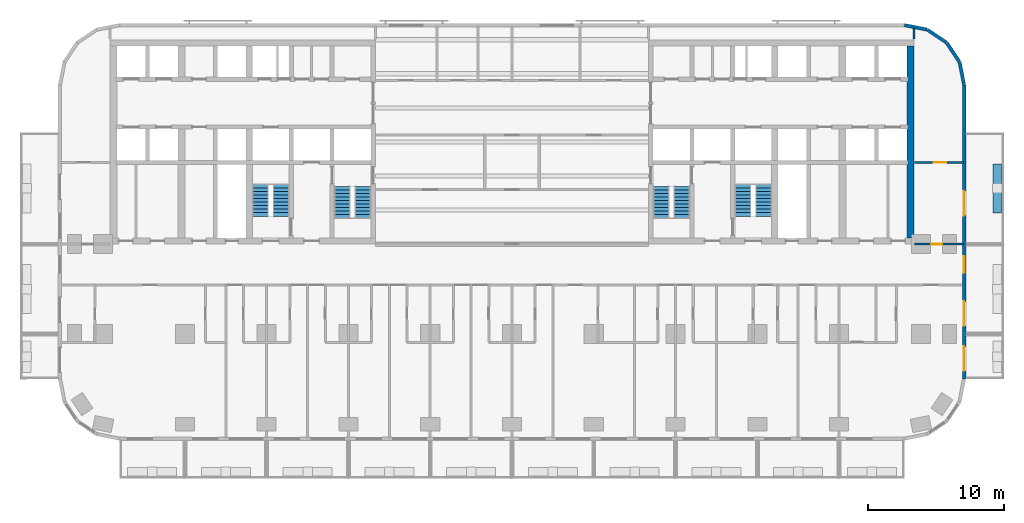
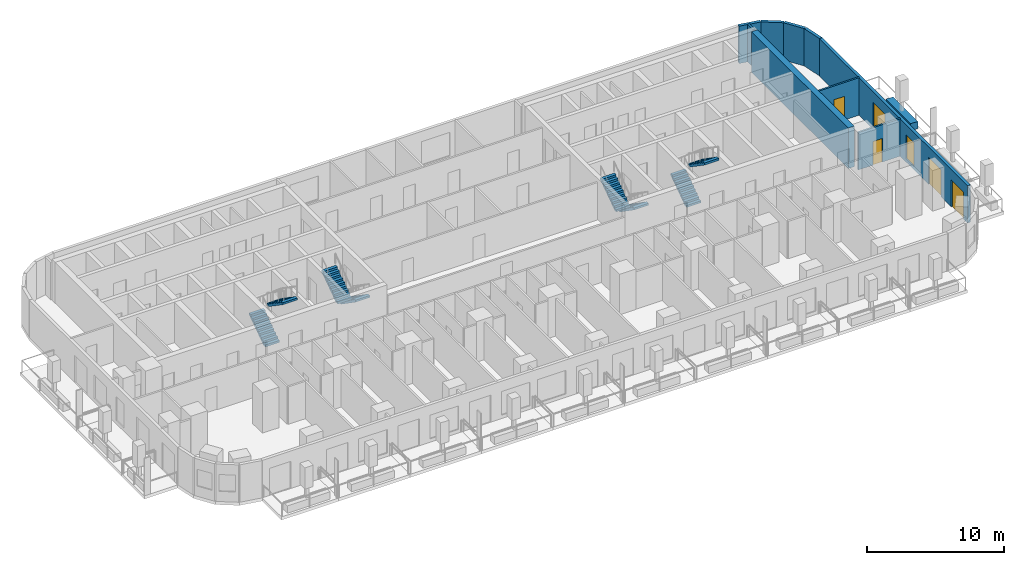
# One storey, part 9 of 14: 10 walls, 8 stair flights, 5 doors, 1 window, 6 openings, 4 elements without a shape of their own.
"""IFC4 building model written with IfcOpenShell, lengths in metres."""

from ifc_helpers import new_model, si_unit, direction, frame, frame_2d, origin, place, context, subcontext, project, spatial, polyline, rectangle, outline, extrude, material, layer, layer_set, type_object, element, fill, aggregate, save


model = new_model("IFC4")

# Units and contexts
model_context = context("Model", 3, precision=1e-05, world=origin(), true_north=direction((0.0, 1.0)))
body_context = subcontext(model_context, "Body", "Model", "MODEL_VIEW")
ifc_project = project(units=[si_unit("LENGTHUNIT", "METRE"), si_unit("AREAUNIT", "SQUARE_METRE"), si_unit("VOLUMEUNIT", "CUBIC_METRE"), si_unit("PLANEANGLEUNIT", "RADIAN"), si_unit("MASSUNIT", "GRAM", prefix="KILO")], contexts=[model_context])

# Site, building, storey
site_placement = place(None, origin())
site = spatial("IfcSite", under=ifc_project, at=site_placement, CompositionType="ELEMENT")
building_placement = place(site_placement, origin())
building = spatial("IfcBuilding", under=site, at=building_placement, Name="Torana Hotel and Residences", CompositionType="ELEMENT")
storey_placement = place(building_placement, frame((0.0, 0.0, 34.800048828125)))
storey = spatial("IfcBuildingStorey", under=building, at=storey_placement, Name="L07", CompositionType="ELEMENT", Elevation=34.800048828125)

# Walls
ifc_material_1 = material(Name="Concrete C80/95", Category="concrete")
ifc_layer_1 = layer(ifc_material_1, 0.5)
ifc_layer_set_1 = layer_set([ifc_layer_1], Name="CORE WALL 500 C80/95")
wall_type_1 = type_object("IfcWallType", Name="CORE WALL 500 C80/95", PredefinedType="SHEAR", material=ifc_layer_set_1)
wall_1_placement = place(storey_placement, frame((29.25, -14.550048828125, 0.0), z_axis=(0.0, 0.0, 1.0), x_axis=(0.0, 1.0, 0.0)))
element("IfcWall", 1, at=wall_1_placement, inside=storey, type_object=wall_type_1, Name="Core wall E outer", PredefinedType="SHEAR", context=body_context, shape_type="SweptSolid", body=[
    extrude(rectangle(XDim=14.10009765625, YDim=0.5, at=frame_2d((7.050048828125, 0.0))), origin(), (0.0, 0.0, 1.0), 3.599853515625),
])
ifc_material_2 = material(Name="Black aluminium composite panel", Category="aluminium")
ifc_layer_2 = layer(ifc_material_2, 0.00390625, Name="Cladding", Category="cladding")
ifc_material_3 = material(Name="Ventilated air cavity")
ifc_layer_3 = layer(ifc_material_3, 0.0400390625, Name="Ventilated cavity", Category="cavity")
ifc_material_4 = material(Name="Mineral wool insulation")
ifc_layer_4 = layer(ifc_material_4, 0.090087890625, Name="Insulation", Category="insulation")
ifc_material_5 = material(Name="Steel S280GD", Category="steel")
ifc_layer_5 = layer(ifc_material_5, 0.092041015625, Name="Steel stud frame", Category="structure")
ifc_material_6 = material(Name="Fire rated plasterboard")
ifc_layer_6 = layer(ifc_material_6, 0.011962890625, Name="Inner board", Category="finish")
ifc_layer_7 = layer(ifc_material_6, 0.011962890625, Name="Second board", Category="finish")
ifc_layer_set_2 = layer_set([ifc_layer_2, ifc_layer_3, ifc_layer_4, ifc_layer_5, ifc_layer_6, ifc_layer_7], Name="EW1 EXTERNAL WALL BLACK METAL CLAD 250")
wall_type_2 = type_object("IfcWallType", Name="EW1 EXTERNAL WALL BLACK METAL CLAD 250", PredefinedType="SOLIDWALL", material=ifc_layer_set_2)
wall_2_placement = place(storey_placement, frame((33.172607421875, -3.30029296875, 0.0), z_axis=(0.0, 0.0, 1.0), x_axis=(-0.19513878023, 0.980775640221, 0.0)))
element("IfcWall", 2, at=wall_2_placement, inside=storey, type_object=wall_type_2, Name="External wall L07 e0.0", PredefinedType="SOLIDWALL", context=body_context, shape_type="SweptSolid", body=[
    extrude(rectangle(XDim=1.681396484375, YDim=0.25, at=frame_2d((0.8408203125, 0.0))), origin(), (0.0, 0.0, 1.0), 3.320068359375),
])
for number, where, z_axis, x_axis, name in (
    (3, (32.825927734375, -1.60595703125, 0.0), (0.0, 0.0, 1.0), (-0.55555029066, 0.831482937015, 0.0), "External wall L07 e0.1"),
    (4, (31.87109375, -0.1943359375, 0.0), (0.0, 0.0, 1.0), (-0.831482937015, 0.55555029066, 0.0), "External wall L07 e0.2"),
):
    element("IfcWall", number, at=place(storey_placement, frame(where, z_axis=z_axis, x_axis=x_axis)), inside=storey, type_object=wall_type_2, Name=name, PredefinedType="SOLIDWALL", context=body_context, shape_type="SweptSolid", body=[
        extrude(rectangle(XDim=1.65625, YDim=0.25, at=frame_2d((0.828125, 0.0))), origin(), (0.0, 0.0, 1.0), 3.320068359375),
    ])
wall_3_placement = place(storey_placement, frame((30.448974609375, 0.74462890625, 0.0), z_axis=(0.0, 0.0, 1.0), x_axis=(-0.980803419081, 0.194999110559, 0.0)))
element("IfcWall", 5, at=wall_3_placement, inside=storey, type_object=wall_type_2, Name="External wall L07 e0.3", PredefinedType="SOLIDWALL", context=body_context, shape_type="SweptSolid", body=[
    extrude(rectangle(XDim=1.681396484375, YDim=0.25, at=frame_2d((0.8408203125, 0.0))), origin(), (0.0, 0.0, 1.0), 3.320068359375),
])

# Wall, openings, doors, window
wall_4_placement = place(storey_placement, frame((33.175048828125, -24.87548828125, 0.0), z_axis=(0.0, 0.0, 1.0), x_axis=(0.0, 1.0, 0.0)))
wall_4 = element("IfcWall", 6, at=wall_4_placement, inside=storey, type_object=wall_type_2, Name="External wall L07 e0.19", PredefinedType="SOLIDWALL", context=body_context, shape_type="SweptSolid", body=[
    extrude(rectangle(XDim=21.55078125, YDim=0.25, at=frame_2d((10.775390625, 0.0))), origin(), (0.0, 0.0, 1.0), 3.320068359375),
])
opening_1_placement = place(wall_4_placement, frame((0.575439453125, 0.0, 0.0)))
opening_1 = element("IfcOpeningElement", 7, at=opening_1_placement, cuts=wall_4, Name="Opening L07-E11", PredefinedType="OPENING", context=body_context, shape_type="SweptSolid", body=[
    extrude(rectangle(XDim=1.800048828125, YDim=2.39990234375, at=frame_2d((0.89990234375, 1.199951171875))), frame((0.0, 0.135009765625, 0.0), z_axis=(0.0, -1.0, 0.0), x_axis=(1.0, 0.0, 0.0)), (0.0, 0.0, 1.0), 0.27001953125),
])
opening_2_placement = place(wall_4_placement, frame((3.87548828125, 0.0, 0.0)))
opening_2 = element("IfcOpeningElement", 8, at=opening_2_placement, cuts=wall_4, Name="Opening L07-E12", PredefinedType="OPENING", context=body_context, shape_type="SweptSolid", body=[
    extrude(rectangle(XDim=1.800048828125, YDim=2.39990234375, at=frame_2d((0.89990234375, 1.199951171875))), frame((0.0, 0.135009765625, 0.0), z_axis=(0.0, -1.0, 0.0), x_axis=(1.0, 0.0, 0.0)), (0.0, 0.0, 1.0), 0.27001953125),
])
opening_3_placement = place(wall_4_placement, frame((7.775390625, 0.0, 0.300048828125)))
opening_3 = element("IfcOpeningElement", 9, at=opening_3_placement, cuts=wall_4, Name="Opening W7", PredefinedType="OPENING", context=body_context, shape_type="SweptSolid", body=[
    extrude(rectangle(XDim=1.199951171875, YDim=2.10009765625, at=frame_2d((0.60009765625, 1.050048828125))), frame((0.0, 0.135009765625, 0.0), z_axis=(0.0, -1.0, 0.0), x_axis=(1.0, 0.0, 0.0)), (0.0, 0.0, 1.0), 0.27001953125),
])
opening_4_placement = place(wall_4_placement, frame((11.975341796875, 0.0, 0.0)))
opening_4 = element("IfcOpeningElement", 10, at=opening_4_placement, cuts=wall_4, Name="Opening L07-E13", PredefinedType="OPENING", context=body_context, shape_type="SweptSolid", body=[
    extrude(rectangle(XDim=1.800048828125, YDim=2.39990234375, at=frame_2d((0.89990234375, 1.199951171875))), frame((0.0, 0.135009765625, 0.0), z_axis=(0.0, -1.0, 0.0), x_axis=(1.0, 0.0, 0.0)), (0.0, 0.0, 1.0), 0.27001953125),
])
ifc_material_7 = material(Name="Dark glass in black aluminium frame", Category="aluminium")
door_type_1 = type_object("IfcDoorType", Name="DB1 BALCONY DOOR 1800x2400", OperationType="DOUBLE_DOOR_SINGLE_SWING", PredefinedType="DOOR", material=ifc_material_7)
door_1_placement = place(opening_1_placement, origin())
door_1 = element("IfcDoor", 11, at=door_1_placement, inside=storey, type_object=door_type_1, Name="Balcony door L07", OperationType="DOUBLE_DOOR_SINGLE_SWING", OverallHeight=2.39990234375, OverallWidth=1.800048828125, PredefinedType="DOOR", context=body_context, shape_type="SweptSolid", body=[
    extrude(rectangle(XDim=1.800048828125, YDim=2.39990234375, at=frame_2d((0.89990234375, 1.199951171875))), frame((0.0, 0.02490234375, 0.0), z_axis=(0.0, -1.0, 0.0), x_axis=(1.0, 0.0, 0.0)), (0.0, 0.0, 1.0), 0.050048828125),
])
fill(opening_1, door_1)
door_2_placement = place(opening_2_placement, frame((0.89990234375, 0.0, 0.0), z_axis=(0.0, 0.0, 1.0), x_axis=(-1.0, 0.0, 0.0)))
door_2 = element("IfcDoor", 12, at=door_2_placement, inside=storey, type_object=door_type_1, Name="Balcony door L07", OperationType="DOUBLE_DOOR_SINGLE_SWING", OverallHeight=2.39990234375, OverallWidth=1.800048828125, PredefinedType="DOOR", context=body_context, shape_type="SweptSolid", body=[
    extrude(rectangle(XDim=1.800048828125, YDim=2.39990234375, at=frame_2d((0.0, 1.199951171875))), frame((0.0, -0.02490234375, 0.0), z_axis=(0.0, 1.0, 0.0), x_axis=(-1.0, 0.0, 0.0)), (0.0, 0.0, 1.0), 0.050048828125),
])
fill(opening_2, door_2)
door_3_placement = place(opening_4_placement, origin())
door_3 = element("IfcDoor", 13, at=door_3_placement, inside=storey, type_object=door_type_1, Name="Balcony door L07", OperationType="DOUBLE_DOOR_SINGLE_SWING", OverallHeight=2.39990234375, OverallWidth=1.800048828125, PredefinedType="DOOR", context=body_context, shape_type="SweptSolid", body=[
    extrude(rectangle(XDim=1.800048828125, YDim=2.39990234375, at=frame_2d((0.89990234375, 1.199951171875))), frame((0.0, 0.02490234375, 0.0), z_axis=(0.0, -1.0, 0.0), x_axis=(1.0, 0.0, 0.0)), (0.0, 0.0, 1.0), 0.050048828125),
])
fill(opening_4, door_3)
ifc_material_8 = material(Name="Dark glass in black aluminium frame", Category="aluminium")
window_type = type_object("IfcWindowType", Name="W7 HOTEL CORRIDOR WINDOW 1200x2100", PartitioningType="SINGLE_PANEL", PredefinedType="WINDOW", material=ifc_material_8)
window_placement = place(opening_3_placement, origin())
window = element("IfcWindow", 14, at=window_placement, inside=storey, type_object=window_type, Name="Window L07", OverallHeight=2.10009765625, OverallWidth=1.199951171875, PartitioningType="SINGLE_PANEL", PredefinedType="WINDOW", context=body_context, shape_type="SweptSolid", body=[
    extrude(rectangle(XDim=1.199951171875, YDim=2.10009765625, at=frame_2d((0.60009765625, 1.050048828125))), frame((0.0, 0.030029296875, 0.0), z_axis=(0.0, -1.0, 0.0), x_axis=(1.0, 0.0, 0.0)), (0.0, 0.0, 1.0), 0.06005859375),
])
fill(opening_3, window)

# Wall, opening, door
ifc_material_9 = material(Name="Gypsum plaster")
ifc_layer_8 = layer(ifc_material_9, 0.014892578125, Name="Plaster", Category="finish")
ifc_material_10 = material(Name="Concrete blockwork", Category="masonry")
ifc_layer_9 = layer(ifc_material_10, 0.1201171875, Name="Blockwork", Category="structure")
ifc_layer_10 = layer(ifc_material_9, 0.014892578125, Name="Plaster", Category="finish")
ifc_layer_set_3 = layer_set([ifc_layer_8, ifc_layer_9, ifc_layer_10], Name="FIRE PARTITION 150 BLOCKWORK")
wall_type_3 = type_object("IfcWallType", Name="FIRE PARTITION 150 BLOCKWORK", PredefinedType="PARTITIONING", material=ifc_layer_set_3)
wall_5_placement = place(storey_placement, frame((29.550048828125, -15.0, 0.0), z_axis=(0.0, 0.0, 1.0), x_axis=(1.0, 0.0, 0.0)))
wall_5 = element("IfcWall", 15, at=wall_5_placement, inside=storey, type_object=wall_type_3, Name="Partition L07", PredefinedType="PARTITIONING", context=body_context, shape_type="SweptSolid", body=[
    extrude(rectangle(XDim=3.570068359375, YDim=0.14990234375, at=frame_2d((1.78515625, 0.0))), origin(), (0.0, 0.0, 1.0), 3.320068359375),
])
opening_5_placement = place(wall_5_placement, frame((1.205078125, 0.0, 0.0)))
opening_5 = element("IfcOpeningElement", 16, at=opening_5_placement, cuts=wall_5, Name="Opening L07-54", PredefinedType="OPENING", context=body_context, shape_type="SweptSolid", body=[
    extrude(rectangle(XDim=0.800048828125, YDim=2.10009765625, at=frame_2d((0.39990234375, 1.050048828125))), frame((0.0, 0.0849609375, 0.0), z_axis=(0.0, -1.0, 0.0), x_axis=(1.0, 0.0, 0.0)), (0.0, 0.0, 1.0), 0.169921875),
])
ifc_material_11 = material(Name="Steel S235", Category="steel")
door_type_2 = type_object("IfcDoorType", Name="STORE FIRE DOOR D16 800x2100", OperationType="SINGLE_SWING_LEFT", PredefinedType="DOOR", material=ifc_material_11)
door_4_placement = place(opening_5_placement, origin())
door_4 = element("IfcDoor", 17, at=door_4_placement, inside=storey, type_object=door_type_2, Name="Door L07", OperationType="SINGLE_SWING_RIGHT", OverallHeight=2.10009765625, OverallWidth=0.800048828125, PredefinedType="DOOR", context=body_context, shape_type="SweptSolid", body=[
    extrude(rectangle(XDim=0.800048828125, YDim=2.10009765625, at=frame_2d((0.39990234375, 1.050048828125))), frame((0.0, 0.02490234375, 0.0), z_axis=(0.0, -1.0, 0.0), x_axis=(1.0, 0.0, 0.0)), (0.0, 0.0, 1.0), 0.050048828125),
])
fill(opening_5, door_4)

# Wall
ifc_material_12 = material(Name="Gypsum plasterboard")
ifc_layer_11 = layer(ifc_material_12, 0.012451171875, Name="Plasterboard", Category="finish")
ifc_layer_12 = layer(ifc_material_12, 0.012451171875, Name="Plasterboard", Category="finish")
ifc_layer_13 = layer(ifc_material_5, 0.10009765625, Name="Steel studs with mineral wool", Category="insulation")
ifc_layer_14 = layer(ifc_material_12, 0.012451171875, Name="Plasterboard", Category="finish")
ifc_layer_15 = layer(ifc_material_12, 0.012451171875, Name="Plasterboard", Category="finish")
ifc_layer_set_4 = layer_set([ifc_layer_11, ifc_layer_12, ifc_layer_13, ifc_layer_14, ifc_layer_15], Name="PARTITION 150 PLASTERBOARD")
wall_type_4 = type_object("IfcWallType", Name="PARTITION 150 PLASTERBOARD", PredefinedType="PARTITIONING", material=ifc_layer_set_4)
wall_6_placement = place(storey_placement, frame((29.5, 0.050048828125, 0.0), z_axis=(0.0, 0.0, 1.0), x_axis=(0.0, 1.0, 0.0)))
element("IfcWall", 18, at=wall_6_placement, inside=storey, type_object=wall_type_4, Name="Partition L07", PredefinedType="PARTITIONING", context=body_context, shape_type="SweptSolid", body=[
    extrude(rectangle(XDim=0.8271484375, YDim=0.14990234375, at=frame_2d((0.41357421875, 0.0))), origin(), (0.0, 0.0, 1.0), 3.320068359375),
])

# Wall, opening, door
wall_7_placement = place(storey_placement, frame((29.550048828125, -9.0, 0.0), z_axis=(0.0, 0.0, 1.0), x_axis=(1.0, 0.0, 0.0)))
wall_7 = element("IfcWall", 19, at=wall_7_placement, inside=storey, type_object=wall_type_4, Name="Partition L07", PredefinedType="PARTITIONING", context=body_context, shape_type="SweptSolid", body=[
    extrude(rectangle(XDim=3.570068359375, YDim=0.14990234375, at=frame_2d((1.78515625, 0.0))), origin(), (0.0, 0.0, 1.0), 3.320068359375),
])
opening_6_placement = place(wall_7_placement, frame((1.39990234375, 0.0, 0.0)))
opening_6 = element("IfcOpeningElement", 20, at=opening_6_placement, cuts=wall_7, Name="Opening L07-83", PredefinedType="OPENING", context=body_context, shape_type="SweptSolid", body=[
    extrude(rectangle(XDim=0.89990234375, YDim=2.10009765625, at=frame_2d((0.449951171875, 1.050048828125))), frame((0.0, 0.0849609375, 0.0), z_axis=(0.0, -1.0, 0.0), x_axis=(1.0, 0.0, 0.0)), (0.0, 0.0, 1.0), 0.169921875),
])
ifc_material_13 = material(Name="Timber door, oiled ash", Category="wood")
door_type_3 = type_object("IfcDoorType", Name="ROOM DOOR D7 900x2100", OperationType="SINGLE_SWING_LEFT", PredefinedType="DOOR", material=ifc_material_13)
door_5_placement = place(opening_6_placement, origin())
door_5 = element("IfcDoor", 21, at=door_5_placement, inside=storey, type_object=door_type_3, Name="Door L07", OperationType="SINGLE_SWING_LEFT", OverallHeight=2.10009765625, OverallWidth=0.89990234375, PredefinedType="DOOR", context=body_context, shape_type="SweptSolid", body=[
    extrude(rectangle(XDim=0.89990234375, YDim=2.10009765625, at=frame_2d((0.449951171875, 1.050048828125))), frame((0.0, 0.02490234375, 0.0), z_axis=(0.0, -1.0, 0.0), x_axis=(1.0, 0.0, 0.0)), (0.0, 0.0, 1.0), 0.050048828125),
])
fill(opening_6, door_5)

# Wall
ifc_material_14 = material(Name="Concrete C40/50 precast", Category="concrete")
ifc_layer_16 = layer(ifc_material_14, 0.10009765625, Name="Planter shell", Category="structure")
ifc_material_15 = material(Name="Root resistant membrane")
ifc_layer_17 = layer(ifc_material_15, 0.00390625, Name="Waterproofing membrane", Category="membrane")
ifc_material_16 = material(Name="Drainage board with filter fleece")
ifc_layer_18 = layer(ifc_material_16, 0.02001953125, Name="Drainage board", Category="drainage")
ifc_material_17 = material(Name="Growing medium")
ifc_layer_19 = layer(ifc_material_17, 0.47607421875, Name="Planting substrate", Category="soil")
ifc_layer_set_5 = layer_set([ifc_layer_16, ifc_layer_17, ifc_layer_18, ifc_layer_19], Name="PL1 BALCONY PLANTER 600")
wall_type_5 = type_object("IfcWallType", Name="PL1 BALCONY PLANTER 600", PredefinedType="USERDEFINED", material=ifc_layer_set_5)
wall_8_placement = place(storey_placement, frame((35.60009765625, -9.10009765625, 0.0), z_axis=(0.0, 0.0, 1.0), x_axis=(0.0, -1.0, 0.0)))
element("IfcWall", 22, at=wall_8_placement, inside=storey, type_object=wall_type_5, Name="Planter 16", ObjectType="PLANTER", PredefinedType="USERDEFINED", context=body_context, shape_type="SweptSolid", body=[
    extrude(rectangle(XDim=3.599853515625, YDim=0.60009765625, at=frame_2d((1.7998046875, 0.0))), origin(), (0.0, 0.0, 1.0), 0.64990234375),
])

# Stair, stair flights
ifc_material_18 = material(Name="Concrete C40/50 precast", Category="concrete")
stair_type_1 = type_object("IfcStairType", Name="STAIR ST1 HALF TURN 1200", PredefinedType="HALF_TURN_STAIR", material=ifc_material_18)
stair_1_placement = place(storey_placement, origin())
stair_1 = element("IfcStair", 23, at=stair_1_placement, inside=storey, type_object=stair_type_1, Name="Stair ST1 L07", PredefinedType="HALF_TURN_STAIR")
ifc_material_19 = material(Name="Concrete C40/50 precast", Category="concrete")
stair_flight_type = type_object("IfcStairFlightType", Name="STAIR FLIGHT 1200 PRECAST", PredefinedType="STRAIGHT", material=ifc_material_19)
stair_flight_1_placement = place(storey_placement, frame((-10.949951171875, -10.75, 0.0), z_axis=(0.0, 0.0, 1.0), x_axis=(0.0, -1.0, 0.0)))
stair_flight_1 = element("IfcStairFlight", 24, at=stair_flight_1_placement, type_object=stair_flight_type, Name="ST1 flight 1", NumberOfRisers=10, NumberOfTreads=9, PredefinedType="STRAIGHT", RiserHeight=0.18, TreadLength=0.26, context=body_context, shape_type="SweptSolid", body=[
    extrude(outline(polyline([(0.0, 0.0), (0.0, 0.179931640625), (0.260009765625, 0.179931640625), (0.260009765625, 0.360107421875), (0.52001953125, 0.360107421875), (0.52001953125, 0.5400390625), (0.780029296875, 0.5400390625), (0.780029296875, 0.719970703125), (1.0400390625, 0.719970703125), (1.0400390625, 0.89990234375), (1.300048828125, 0.89990234375), (1.300048828125, 1.080078125), (1.56005859375, 1.080078125), (1.56005859375, 1.260009765625), (1.820068359375, 1.260009765625), (1.820068359375, 1.43994140625), (2.080078125, 1.43994140625), (2.080078125, 1.6201171875), (2.340087890625, 1.6201171875), (2.340087890625, 1.800048828125), (2.340087890625, 1.437744140625), (0.263427734375, 0.0), (0.0, 0.0)])), frame((0.0, 0.60009765625, 0.0), z_axis=(0.0, -1.0, 0.0), x_axis=(1.0, 0.0, 0.0)), (0.0, 0.0, 1.0), 1.199951171875),
])
stair_flight_2_placement = place(storey_placement, frame((-12.449951171875, -13.090087890625, 1.800048828125), z_axis=(0.0, 0.0, 1.0), x_axis=(0.0, 1.0, 0.0)))
stair_flight_2 = element("IfcStairFlight", 25, at=stair_flight_2_placement, type_object=stair_flight_type, Name="ST1 flight 2", NumberOfRisers=10, NumberOfTreads=9, PredefinedType="STRAIGHT", RiserHeight=0.18, TreadLength=0.26, context=body_context, shape_type="SweptSolid", body=[
    extrude(outline(polyline([(0.0, 0.0), (0.0, 0.179931640625), (0.260009765625, 0.179931640625), (0.260009765625, 0.360107421875), (0.52001953125, 0.360107421875), (0.52001953125, 0.5400390625), (0.780029296875, 0.5400390625), (0.780029296875, 0.719970703125), (1.0400390625, 0.719970703125), (1.0400390625, 0.89990234375), (1.300048828125, 0.89990234375), (1.300048828125, 1.080078125), (1.56005859375, 1.080078125), (1.56005859375, 1.260009765625), (1.820068359375, 1.260009765625), (1.820068359375, 1.43994140625), (2.080078125, 1.43994140625), (2.080078125, 1.6201171875), (2.340087890625, 1.6201171875), (2.340087890625, 1.800048828125), (2.340087890625, 1.437744140625), (0.263427734375, 0.0), (0.0, 0.0)])), frame((0.0, 0.60009765625, 0.0), z_axis=(0.0, -1.0, 0.0), x_axis=(1.0, 0.0, 0.0)), (0.0, 0.0, 1.0), 1.199951171875),
])
aggregate(stair_1, [stair_flight_1, stair_flight_2])

ifc_material_20 = material(Name="Concrete C40/50 precast", Category="concrete")
stair_type_2 = type_object("IfcStairType", Name="STAIR ST2 HALF TURN 1200", PredefinedType="HALF_TURN_STAIR", material=ifc_material_20)
stair_2_placement = place(storey_placement, origin())
stair_2 = element("IfcStair", 26, at=stair_2_placement, inside=storey, type_object=stair_type_2, Name="Stair ST2 L07", PredefinedType="HALF_TURN_STAIR")
stair_flight_3_placement = place(storey_placement, frame((-18.449951171875, -12.949951171875, 0.0), z_axis=(0.0, 0.0, 1.0), x_axis=(0.0, 1.0, 0.0)))
stair_flight_3 = element("IfcStairFlight", 27, at=stair_flight_3_placement, type_object=stair_flight_type, Name="ST2 flight 1", NumberOfRisers=10, NumberOfTreads=9, PredefinedType="STRAIGHT", RiserHeight=0.18, TreadLength=0.26, context=body_context, shape_type="SweptSolid", body=[
    extrude(outline(polyline([(0.0, 0.0), (0.0, 0.179931640625), (0.260009765625, 0.179931640625), (0.260009765625, 0.360107421875), (0.52001953125, 0.360107421875), (0.52001953125, 0.5400390625), (0.780029296875, 0.5400390625), (0.780029296875, 0.719970703125), (1.0400390625, 0.719970703125), (1.0400390625, 0.89990234375), (1.300048828125, 0.89990234375), (1.300048828125, 1.080078125), (1.56005859375, 1.080078125), (1.56005859375, 1.260009765625), (1.820068359375, 1.260009765625), (1.820068359375, 1.43994140625), (2.080078125, 1.43994140625), (2.080078125, 1.6201171875), (2.340087890625, 1.6201171875), (2.340087890625, 1.800048828125), (2.340087890625, 1.437744140625), (0.263427734375, 0.0), (0.0, 0.0)])), frame((0.0, 0.60009765625, 0.0), z_axis=(0.0, -1.0, 0.0), x_axis=(1.0, 0.0, 0.0)), (0.0, 0.0, 1.0), 1.199951171875),
])
stair_flight_4_placement = place(storey_placement, frame((-16.949951171875, -10.610107421875, 1.800048828125), z_axis=(0.0, 0.0, 1.0), x_axis=(0.0, -1.0, 0.0)))
stair_flight_4 = element("IfcStairFlight", 28, at=stair_flight_4_placement, type_object=stair_flight_type, Name="ST2 flight 2", NumberOfRisers=10, NumberOfTreads=9, PredefinedType="STRAIGHT", RiserHeight=0.18, TreadLength=0.26, context=body_context, shape_type="SweptSolid", body=[
    extrude(outline(polyline([(0.0, 0.0), (0.0, 0.179931640625), (0.260009765625, 0.179931640625), (0.260009765625, 0.360107421875), (0.52001953125, 0.360107421875), (0.52001953125, 0.5400390625), (0.780029296875, 0.5400390625), (0.780029296875, 0.719970703125), (1.0400390625, 0.719970703125), (1.0400390625, 0.89990234375), (1.300048828125, 0.89990234375), (1.300048828125, 1.080078125), (1.56005859375, 1.080078125), (1.56005859375, 1.260009765625), (1.820068359375, 1.260009765625), (1.820068359375, 1.43994140625), (2.080078125, 1.43994140625), (2.080078125, 1.6201171875), (2.340087890625, 1.6201171875), (2.340087890625, 1.800048828125), (2.340087890625, 1.437744140625), (0.263427734375, 0.0), (0.0, 0.0)])), frame((0.0, 0.60009765625, 0.0), z_axis=(0.0, -1.0, 0.0), x_axis=(1.0, 0.0, 0.0)), (0.0, 0.0, 1.0), 1.199951171875),
])
aggregate(stair_2, [stair_flight_3, stair_flight_4])

ifc_material_21 = material(Name="Concrete C40/50 precast", Category="concrete")
stair_type_3 = type_object("IfcStairType", Name="STAIR ST3 HALF TURN 1200", PredefinedType="HALF_TURN_STAIR", material=ifc_material_21)
stair_3_placement = place(storey_placement, origin())
stair_3 = element("IfcStair", 29, at=stair_3_placement, inside=storey, type_object=stair_type_3, Name="Stair ST3 L07", PredefinedType="HALF_TURN_STAIR")
stair_flight_5_placement = place(storey_placement, frame((12.449951171875, -10.75, 0.0), z_axis=(0.0, 0.0, 1.0), x_axis=(0.0, -1.0, 0.0)))
stair_flight_5 = element("IfcStairFlight", 30, at=stair_flight_5_placement, type_object=stair_flight_type, Name="ST3 flight 1", NumberOfRisers=10, NumberOfTreads=9, PredefinedType="STRAIGHT", RiserHeight=0.18, TreadLength=0.26, context=body_context, shape_type="SweptSolid", body=[
    extrude(outline(polyline([(0.0, 0.0), (0.0, 0.179931640625), (0.260009765625, 0.179931640625), (0.260009765625, 0.360107421875), (0.52001953125, 0.360107421875), (0.52001953125, 0.5400390625), (0.780029296875, 0.5400390625), (0.780029296875, 0.719970703125), (1.0400390625, 0.719970703125), (1.0400390625, 0.89990234375), (1.300048828125, 0.89990234375), (1.300048828125, 1.080078125), (1.56005859375, 1.080078125), (1.56005859375, 1.260009765625), (1.820068359375, 1.260009765625), (1.820068359375, 1.43994140625), (2.080078125, 1.43994140625), (2.080078125, 1.6201171875), (2.340087890625, 1.6201171875), (2.340087890625, 1.800048828125), (2.340087890625, 1.437744140625), (0.263427734375, 0.0), (0.0, 0.0)])), frame((0.0, 0.60009765625, 0.0), z_axis=(0.0, -1.0, 0.0), x_axis=(1.0, 0.0, 0.0)), (0.0, 0.0, 1.0), 1.199951171875),
])
stair_flight_6_placement = place(storey_placement, frame((10.949951171875, -13.090087890625, 1.800048828125), z_axis=(0.0, 0.0, 1.0), x_axis=(0.0, 1.0, 0.0)))
stair_flight_6 = element("IfcStairFlight", 31, at=stair_flight_6_placement, type_object=stair_flight_type, Name="ST3 flight 2", NumberOfRisers=10, NumberOfTreads=9, PredefinedType="STRAIGHT", RiserHeight=0.18, TreadLength=0.26, context=body_context, shape_type="SweptSolid", body=[
    extrude(outline(polyline([(0.0, 0.0), (0.0, 0.179931640625), (0.260009765625, 0.179931640625), (0.260009765625, 0.360107421875), (0.52001953125, 0.360107421875), (0.52001953125, 0.5400390625), (0.780029296875, 0.5400390625), (0.780029296875, 0.719970703125), (1.0400390625, 0.719970703125), (1.0400390625, 0.89990234375), (1.300048828125, 0.89990234375), (1.300048828125, 1.080078125), (1.56005859375, 1.080078125), (1.56005859375, 1.260009765625), (1.820068359375, 1.260009765625), (1.820068359375, 1.43994140625), (2.080078125, 1.43994140625), (2.080078125, 1.6201171875), (2.340087890625, 1.6201171875), (2.340087890625, 1.800048828125), (2.340087890625, 1.437744140625), (0.263427734375, 0.0), (0.0, 0.0)])), frame((0.0, 0.60009765625, 0.0), z_axis=(0.0, -1.0, 0.0), x_axis=(1.0, 0.0, 0.0)), (0.0, 0.0, 1.0), 1.199951171875),
])
aggregate(stair_3, [stair_flight_5, stair_flight_6])

ifc_material_22 = material(Name="Concrete C40/50 precast", Category="concrete")
stair_type_4 = type_object("IfcStairType", Name="STAIR ST4 HALF TURN 1200", PredefinedType="HALF_TURN_STAIR", material=ifc_material_22)
stair_4_placement = place(storey_placement, origin())
stair_4 = element("IfcStair", 32, at=stair_4_placement, inside=storey, type_object=stair_type_4, Name="Stair ST4 L07", PredefinedType="HALF_TURN_STAIR")
stair_flight_7_placement = place(storey_placement, frame((16.949951171875, -12.949951171875, 0.0), z_axis=(0.0, 0.0, 1.0), x_axis=(0.0, 1.0, 0.0)))
stair_flight_7 = element("IfcStairFlight", 33, at=stair_flight_7_placement, type_object=stair_flight_type, Name="ST4 flight 1", NumberOfRisers=10, NumberOfTreads=9, PredefinedType="STRAIGHT", RiserHeight=0.18, TreadLength=0.26, context=body_context, shape_type="SweptSolid", body=[
    extrude(outline(polyline([(0.0, 0.0), (0.0, 0.179931640625), (0.260009765625, 0.179931640625), (0.260009765625, 0.360107421875), (0.52001953125, 0.360107421875), (0.52001953125, 0.5400390625), (0.780029296875, 0.5400390625), (0.780029296875, 0.719970703125), (1.0400390625, 0.719970703125), (1.0400390625, 0.89990234375), (1.300048828125, 0.89990234375), (1.300048828125, 1.080078125), (1.56005859375, 1.080078125), (1.56005859375, 1.260009765625), (1.820068359375, 1.260009765625), (1.820068359375, 1.43994140625), (2.080078125, 1.43994140625), (2.080078125, 1.6201171875), (2.340087890625, 1.6201171875), (2.340087890625, 1.800048828125), (2.340087890625, 1.437744140625), (0.263427734375, 0.0), (0.0, 0.0)])), frame((0.0, 0.60009765625, 0.0), z_axis=(0.0, -1.0, 0.0), x_axis=(1.0, 0.0, 0.0)), (0.0, 0.0, 1.0), 1.199951171875),
])
stair_flight_8_placement = place(storey_placement, frame((18.449951171875, -10.610107421875, 1.800048828125), z_axis=(0.0, 0.0, 1.0), x_axis=(0.0, -1.0, 0.0)))
stair_flight_8 = element("IfcStairFlight", 34, at=stair_flight_8_placement, type_object=stair_flight_type, Name="ST4 flight 2", NumberOfRisers=10, NumberOfTreads=9, PredefinedType="STRAIGHT", RiserHeight=0.18, TreadLength=0.26, context=body_context, shape_type="SweptSolid", body=[
    extrude(outline(polyline([(0.0, 0.0), (0.0, 0.179931640625), (0.260009765625, 0.179931640625), (0.260009765625, 0.360107421875), (0.52001953125, 0.360107421875), (0.52001953125, 0.5400390625), (0.780029296875, 0.5400390625), (0.780029296875, 0.719970703125), (1.0400390625, 0.719970703125), (1.0400390625, 0.89990234375), (1.300048828125, 0.89990234375), (1.300048828125, 1.080078125), (1.56005859375, 1.080078125), (1.56005859375, 1.260009765625), (1.820068359375, 1.260009765625), (1.820068359375, 1.43994140625), (2.080078125, 1.43994140625), (2.080078125, 1.6201171875), (2.340087890625, 1.6201171875), (2.340087890625, 1.800048828125), (2.340087890625, 1.437744140625), (0.263427734375, 0.0), (0.0, 0.0)])), frame((0.0, 0.60009765625, 0.0), z_axis=(0.0, -1.0, 0.0), x_axis=(1.0, 0.0, 0.0)), (0.0, 0.0, 1.0), 1.199951171875),
])
aggregate(stair_4, [stair_flight_7, stair_flight_8])

save(model, "model.ifc")
